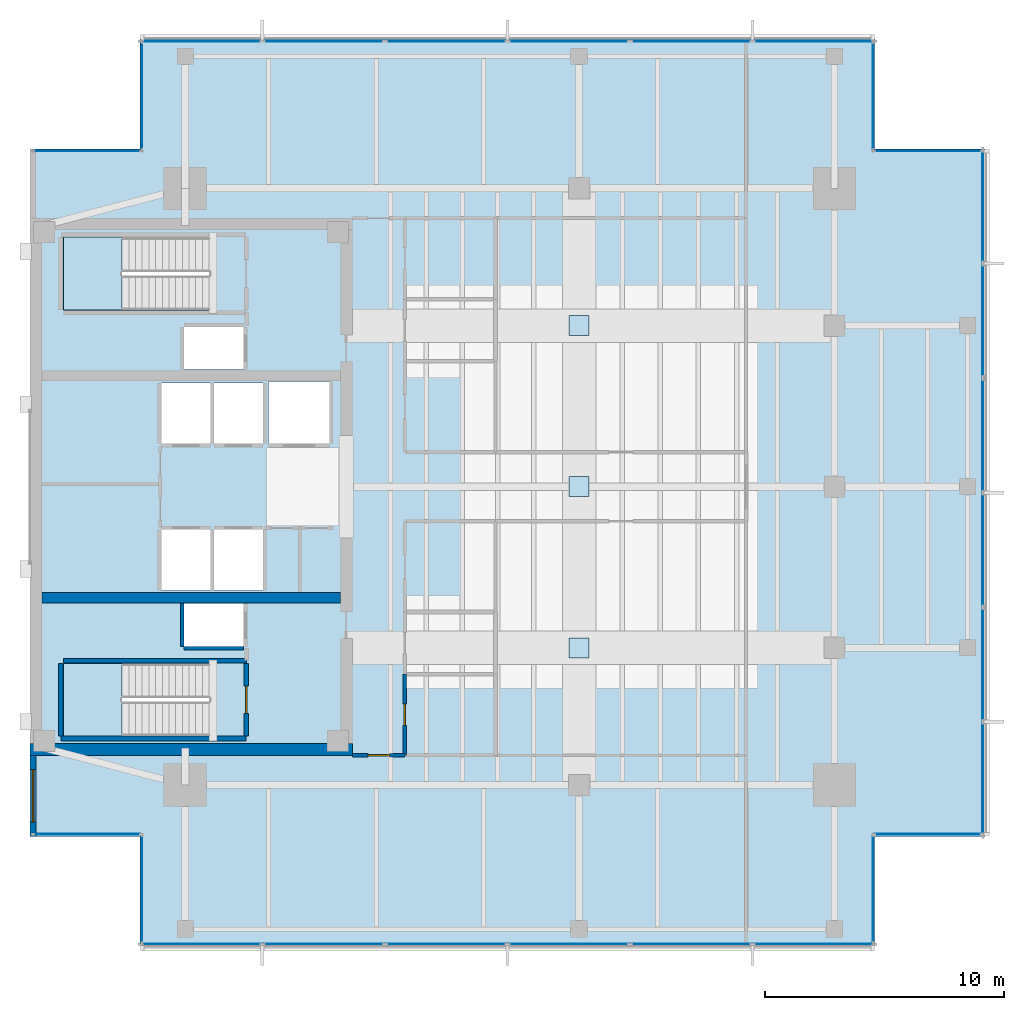
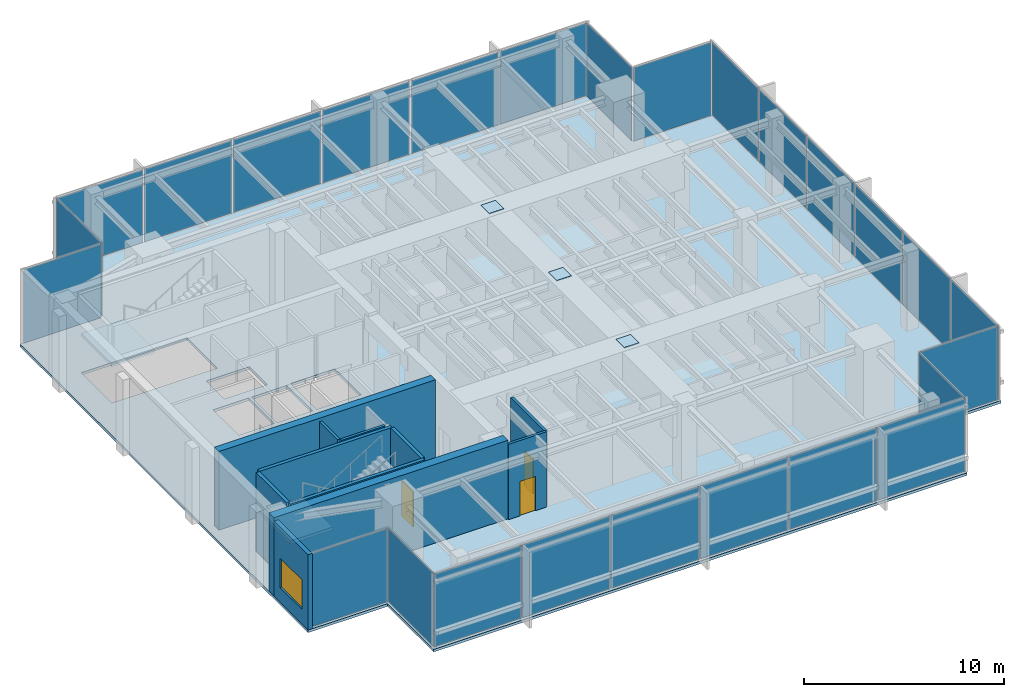
# One storey, part 7 of 14: 29 plates, 11 walls, 3 doors, 3 slabs, 1 window, 4 openings, 13 elements without a shape of their own.
"""IFC4 building model written with IfcOpenShell, lengths in metres."""

from ifc_helpers import new_model, si_unit, direction, frame, frame_2d, origin, origin_2d, place, context, subcontext, project, spatial, polyline, rectangle, outline, extrude, material, layer, layer_set, type_object, element, fill, aggregate, save


model = new_model("IFC4")

# Units and contexts
model_context = context("Model", 3, precision=1e-05, world=origin(), true_north=direction((0.0, 1.0)))
body_context = subcontext(model_context, "Body", "Model", "MODEL_VIEW")
ifc_project = project(units=[si_unit("LENGTHUNIT", "METRE"), si_unit("AREAUNIT", "SQUARE_METRE"), si_unit("VOLUMEUNIT", "CUBIC_METRE"), si_unit("PLANEANGLEUNIT", "RADIAN"), si_unit("MASSUNIT", "GRAM", prefix="KILO")], contexts=[model_context])

# Site, building, storey
site_placement = place(None, origin())
site = spatial("IfcSite", under=ifc_project, at=site_placement, CompositionType="ELEMENT")
building_placement = place(site_placement, origin())
building = spatial("IfcBuilding", under=site, at=building_placement, Name="Kinhvarn Gate Tower", CompositionType="ELEMENT")
storey_placement = place(building_placement, frame((0.0, 0.0, 291.85009765625)))
storey = spatial("IfcBuildingStorey", under=building, at=storey_placement, Name="L78", CompositionType="ELEMENT", Elevation=291.85009765625)

# Curtain wall, plates
ifc_material_1 = material(Name="Anodised aluminium AW-6063", Category="aluminium")
ifc_layer_1 = layer(ifc_material_1, 0.219970703125)
ifc_layer_set_1 = layer_set([ifc_layer_1], Name="Anodised aluminium AW-6063")
curtain_wall_type_1 = type_object("IfcCurtainWallType", Name="CW-SYS-5", PredefinedType="NOTDEFINED", material=ifc_layer_set_1)
curtain_wall_1_placement = place(storey_placement, origin())
curtain_wall_1 = element("IfcCurtainWall", 1, at=curtain_wall_1_placement, inside=storey, type_object=curtain_wall_type_1, Name="Curtain Wall CW5 (L78)", PredefinedType="NOTDEFINED")
ifc_material_2 = material(Name="Clear low-e double glazing", Category="glass")
ifc_layer_2 = layer(ifc_material_2, 0.031982421875)
ifc_layer_set_2 = layer_set([ifc_layer_2], Name="Clear low-e double glazing")
plate_type_1 = type_object("IfcPlateType", Name="CW-PNL-VIS", PredefinedType="CURTAIN_PANEL", material=ifc_layer_set_2)
plate_1_placement = place(storey_placement, frame((11.686767578125, 6.090087890625, 0.079833984375), z_axis=(0.0, 0.0, 1.0), x_axis=(1.0, 0.0, 0.0)))
plate_1 = element("IfcPlate", 2, at=plate_1_placement, type_object=plate_type_1, Name="CW5 panel 1.1", PredefinedType="CURTAIN_PANEL", context=body_context, shape_type="SweptSolid", body=[
    extrude(rectangle(XDim=5.013427734375, YDim=0.031982421875, at=origin_2d()), origin(), (0.0, 0.0, 1.0), 4.43994140625),
])
plate_2_placement = place(storey_placement, frame((16.800048828125, 6.090087890625, 0.079833984375), z_axis=(0.0, 0.0, 1.0), x_axis=(1.0, 0.0, 0.0)))
plate_2 = element("IfcPlate", 3, at=plate_2_placement, type_object=plate_type_1, Name="CW5 panel 2.1", PredefinedType="CURTAIN_PANEL", context=body_context, shape_type="SweptSolid", body=[
    extrude(rectangle(XDim=5.05322265625, YDim=0.031982421875, at=origin_2d()), origin(), (0.0, 0.0, 1.0), 4.43994140625),
])
plate_3_placement = place(storey_placement, frame((21.933349609375, 6.090087890625, 0.079833984375), z_axis=(0.0, 0.0, 1.0), x_axis=(1.0, 0.0, 0.0)))
plate_3 = element("IfcPlate", 4, at=plate_3_placement, type_object=plate_type_1, Name="CW5 panel 3.1", PredefinedType="CURTAIN_PANEL", context=body_context, shape_type="SweptSolid", body=[
    extrude(rectangle(XDim=5.05322265625, YDim=0.031982421875, at=origin_2d()), origin(), (0.0, 0.0, 1.0), 4.43994140625),
])
plate_4_placement = place(storey_placement, frame((27.066650390625, 6.090087890625, 0.079833984375), z_axis=(0.0, 0.0, 1.0), x_axis=(1.0, 0.0, 0.0)))
plate_4 = element("IfcPlate", 5, at=plate_4_placement, type_object=plate_type_1, Name="CW5 panel 4.1", PredefinedType="CURTAIN_PANEL", context=body_context, shape_type="SweptSolid", body=[
    extrude(rectangle(XDim=5.05322265625, YDim=0.031982421875, at=origin_2d()), origin(), (0.0, 0.0, 1.0), 4.43994140625),
])
plate_5_placement = place(storey_placement, frame((32.199951171875, 6.090087890625, 0.079833984375), z_axis=(0.0, 0.0, 1.0), x_axis=(1.0, 0.0, 0.0)))
plate_5 = element("IfcPlate", 6, at=plate_5_placement, type_object=plate_type_1, Name="CW5 panel 5.1", PredefinedType="CURTAIN_PANEL", context=body_context, shape_type="SweptSolid", body=[
    extrude(rectangle(XDim=5.05322265625, YDim=0.031982421875, at=origin_2d()), origin(), (0.0, 0.0, 1.0), 4.43994140625),
])
plate_6_placement = place(storey_placement, frame((37.313232421875, 6.090087890625, 0.079833984375), z_axis=(0.0, 0.0, 1.0), x_axis=(1.0, 0.0, 0.0)))
plate_6 = element("IfcPlate", 7, at=plate_6_placement, type_object=plate_type_1, Name="CW5 panel 6.1", PredefinedType="CURTAIN_PANEL", context=body_context, shape_type="SweptSolid", body=[
    extrude(rectangle(XDim=5.013427734375, YDim=0.031982421875, at=origin_2d()), origin(), (0.0, 0.0, 1.0), 4.43994140625),
])
aggregate(curtain_wall_1, [plate_1, plate_2, plate_3, plate_4, plate_5, plate_6])

curtain_wall_2_placement = place(storey_placement, origin())
curtain_wall_2 = element("IfcCurtainWall", 8, at=curtain_wall_2_placement, inside=storey, type_object=curtain_wall_type_1, Name="Curtain Wall CW5 (L78)", PredefinedType="NOTDEFINED")
plate_7_placement = place(storey_placement, frame((37.313232421875, 43.909912109375, 0.079833984375), z_axis=(0.0, 0.0, 1.0), x_axis=(-1.0, 0.0, 0.0)))
plate_7 = element("IfcPlate", 9, at=plate_7_placement, type_object=plate_type_1, Name="CW5 panel 1.1", PredefinedType="CURTAIN_PANEL", context=body_context, shape_type="SweptSolid", body=[
    extrude(rectangle(XDim=5.013427734375, YDim=0.031982421875, at=origin_2d()), origin(), (0.0, 0.0, 1.0), 4.43994140625),
])
plate_8_placement = place(storey_placement, frame((32.199951171875, 43.909912109375, 0.079833984375), z_axis=(0.0, 0.0, 1.0), x_axis=(-1.0, 0.0, 0.0)))
plate_8 = element("IfcPlate", 10, at=plate_8_placement, type_object=plate_type_1, Name="CW5 panel 2.1", PredefinedType="CURTAIN_PANEL", context=body_context, shape_type="SweptSolid", body=[
    extrude(rectangle(XDim=5.05322265625, YDim=0.031982421875, at=origin_2d()), origin(), (0.0, 0.0, 1.0), 4.43994140625),
])
plate_9_placement = place(storey_placement, frame((27.066650390625, 43.909912109375, 0.079833984375), z_axis=(0.0, 0.0, 1.0), x_axis=(-1.0, 0.0, 0.0)))
plate_9 = element("IfcPlate", 11, at=plate_9_placement, type_object=plate_type_1, Name="CW5 panel 3.1", PredefinedType="CURTAIN_PANEL", context=body_context, shape_type="SweptSolid", body=[
    extrude(rectangle(XDim=5.05322265625, YDim=0.031982421875, at=origin_2d()), origin(), (0.0, 0.0, 1.0), 4.43994140625),
])
plate_10_placement = place(storey_placement, frame((21.933349609375, 43.909912109375, 0.079833984375), z_axis=(0.0, 0.0, 1.0), x_axis=(-1.0, 0.0, 0.0)))
plate_10 = element("IfcPlate", 12, at=plate_10_placement, type_object=plate_type_1, Name="CW5 panel 4.1", PredefinedType="CURTAIN_PANEL", context=body_context, shape_type="SweptSolid", body=[
    extrude(rectangle(XDim=5.05322265625, YDim=0.031982421875, at=origin_2d()), origin(), (0.0, 0.0, 1.0), 4.43994140625),
])
plate_11_placement = place(storey_placement, frame((16.800048828125, 43.909912109375, 0.079833984375), z_axis=(0.0, 0.0, 1.0), x_axis=(-1.0, 0.0, 0.0)))
plate_11 = element("IfcPlate", 13, at=plate_11_placement, type_object=plate_type_1, Name="CW5 panel 5.1", PredefinedType="CURTAIN_PANEL", context=body_context, shape_type="SweptSolid", body=[
    extrude(rectangle(XDim=5.05322265625, YDim=0.031982421875, at=origin_2d()), origin(), (0.0, 0.0, 1.0), 4.43994140625),
])
plate_12_placement = place(storey_placement, frame((11.686767578125, 43.909912109375, 0.079833984375), z_axis=(0.0, 0.0, 1.0), x_axis=(-1.0, 0.0, 0.0)))
plate_12 = element("IfcPlate", 14, at=plate_12_placement, type_object=plate_type_1, Name="CW5 panel 6.1", PredefinedType="CURTAIN_PANEL", context=body_context, shape_type="SweptSolid", body=[
    extrude(rectangle(XDim=5.013427734375, YDim=0.031982421875, at=origin_2d()), origin(), (0.0, 0.0, 1.0), 4.43994140625),
])
aggregate(curtain_wall_2, [plate_7, plate_8, plate_9, plate_10, plate_11, plate_12])

curtain_wall_3_placement = place(storey_placement, origin())
curtain_wall_3 = element("IfcCurtainWall", 15, at=curtain_wall_3_placement, inside=storey, type_object=curtain_wall_type_1, Name="Curtain Wall CW5 (L78)", PredefinedType="NOTDEFINED")
plate_13_placement = place(storey_placement, frame((44.409912109375, 13.02001953125, 0.079833984375), z_axis=(0.0, 0.0, 1.0), x_axis=(0.0, 1.0, 0.0)))
plate_13 = element("IfcPlate", 16, at=plate_13_placement, type_object=plate_type_1, Name="CW5 panel 1.1", PredefinedType="CURTAIN_PANEL", context=body_context, shape_type="SweptSolid", body=[
    extrude(rectangle(XDim=4.679931640625, YDim=0.031982421875, at=origin_2d()), origin(), (0.0, 0.0, 1.0), 4.43994140625),
])
plate_14_placement = place(storey_placement, frame((44.409912109375, 17.800048828125, 0.079833984375), z_axis=(0.0, 0.0, 1.0), x_axis=(0.0, 1.0, 0.0)))
plate_14 = element("IfcPlate", 17, at=plate_14_placement, type_object=plate_type_1, Name="CW5 panel 2.1", PredefinedType="CURTAIN_PANEL", context=body_context, shape_type="SweptSolid", body=[
    extrude(rectangle(XDim=4.719970703125, YDim=0.031982421875, at=origin_2d()), origin(), (0.0, 0.0, 1.0), 4.43994140625),
])
plate_15_placement = place(storey_placement, frame((44.409912109375, 22.60009765625, 0.079833984375), z_axis=(0.0, 0.0, 1.0), x_axis=(0.0, 1.0, 0.0)))
plate_15 = element("IfcPlate", 18, at=plate_15_placement, type_object=plate_type_1, Name="CW5 panel 3.1", PredefinedType="CURTAIN_PANEL", context=body_context, shape_type="SweptSolid", body=[
    extrude(rectangle(XDim=4.719970703125, YDim=0.031982421875, at=origin_2d()), origin(), (0.0, 0.0, 1.0), 4.43994140625),
])
plate_16_placement = place(storey_placement, frame((44.409912109375, 27.39990234375, 0.079833984375), z_axis=(0.0, 0.0, 1.0), x_axis=(0.0, 1.0, 0.0)))
plate_16 = element("IfcPlate", 19, at=plate_16_placement, type_object=plate_type_1, Name="CW5 panel 4.1", PredefinedType="CURTAIN_PANEL", context=body_context, shape_type="SweptSolid", body=[
    extrude(rectangle(XDim=4.719970703125, YDim=0.031982421875, at=origin_2d()), origin(), (0.0, 0.0, 1.0), 4.43994140625),
])
plate_17_placement = place(storey_placement, frame((44.409912109375, 32.199951171875, 0.079833984375), z_axis=(0.0, 0.0, 1.0), x_axis=(0.0, 1.0, 0.0)))
plate_17 = element("IfcPlate", 20, at=plate_17_placement, type_object=plate_type_1, Name="CW5 panel 5.1", PredefinedType="CURTAIN_PANEL", context=body_context, shape_type="SweptSolid", body=[
    extrude(rectangle(XDim=4.719970703125, YDim=0.031982421875, at=origin_2d()), origin(), (0.0, 0.0, 1.0), 4.43994140625),
])
plate_18_placement = place(storey_placement, frame((44.409912109375, 36.97998046875, 0.079833984375), z_axis=(0.0, 0.0, 1.0), x_axis=(0.0, 1.0, 0.0)))
plate_18 = element("IfcPlate", 21, at=plate_18_placement, type_object=plate_type_1, Name="CW5 panel 6.1", PredefinedType="CURTAIN_PANEL", context=body_context, shape_type="SweptSolid", body=[
    extrude(rectangle(XDim=4.679931640625, YDim=0.031982421875, at=origin_2d()), origin(), (0.0, 0.0, 1.0), 4.43994140625),
])
aggregate(curtain_wall_3, [plate_13, plate_14, plate_15, plate_16, plate_17, plate_18])

# Curtain wall, plate
ifc_layer_3 = layer(ifc_material_1, 0.179931640625)
ifc_layer_set_3 = layer_set([ifc_layer_3], Name="Anodised aluminium AW-6063")
curtain_wall_type_2 = type_object("IfcCurtainWallType", Name="CW-SYS-4", PredefinedType="NOTDEFINED", material=ifc_layer_set_3)
curtain_wall_4_placement = place(storey_placement, origin())
curtain_wall_4 = element("IfcCurtainWall", 22, at=curtain_wall_4_placement, inside=storey, type_object=curtain_wall_type_2, Name="Curtain Wall CW4 (L78)", PredefinedType="NOTDEFINED")
plate_19_placement = place(storey_placement, frame((6.889892578125, 10.68994140625, 0.06494140625), z_axis=(0.0, 0.0, 1.0), x_axis=(1.0, 0.0, 0.0)))
plate_19 = element("IfcPlate", 23, at=plate_19_placement, type_object=plate_type_1, Name="CW4 panel 1.1", PredefinedType="CURTAIN_PANEL", context=body_context, shape_type="SweptSolid", body=[
    extrude(rectangle(XDim=4.469970703125, YDim=0.031982421875, at=origin_2d()), origin(), (0.0, 0.0, 1.0), 4.469970703125),
])
aggregate(curtain_wall_4, [plate_19])

curtain_wall_5_placement = place(storey_placement, origin())
curtain_wall_5 = element("IfcCurtainWall", 24, at=curtain_wall_5_placement, inside=storey, type_object=curtain_wall_type_2, Name="Curtain Wall CW4 (L78)", PredefinedType="NOTDEFINED")
plate_20_placement = place(storey_placement, frame((9.18994140625, 8.389892578125, 0.06494140625), z_axis=(0.0, 0.0, 1.0), x_axis=(0.0, -1.0, 0.0)))
plate_20 = element("IfcPlate", 25, at=plate_20_placement, type_object=plate_type_1, Name="CW4 panel 1.1", PredefinedType="CURTAIN_PANEL", context=body_context, shape_type="SweptSolid", body=[
    extrude(rectangle(XDim=4.469970703125, YDim=0.031982421875, at=origin_2d()), origin(), (0.0, 0.0, 1.0), 4.469970703125),
])
aggregate(curtain_wall_5, [plate_20])

curtain_wall_6_placement = place(storey_placement, origin())
curtain_wall_6 = element("IfcCurtainWall", 26, at=curtain_wall_6_placement, inside=storey, type_object=curtain_wall_type_2, Name="Curtain Wall CW4 (L78)", PredefinedType="NOTDEFINED")
plate_21_placement = place(storey_placement, frame((39.81005859375, 8.389892578125, 0.06494140625), z_axis=(0.0, 0.0, 1.0), x_axis=(0.0, 1.0, 0.0)))
plate_21 = element("IfcPlate", 27, at=plate_21_placement, type_object=plate_type_1, Name="CW4 panel 1.1", PredefinedType="CURTAIN_PANEL", context=body_context, shape_type="SweptSolid", body=[
    extrude(rectangle(XDim=4.469970703125, YDim=0.031982421875, at=origin_2d()), origin(), (0.0, 0.0, 1.0), 4.469970703125),
])
aggregate(curtain_wall_6, [plate_21])

curtain_wall_7_placement = place(storey_placement, origin())
curtain_wall_7 = element("IfcCurtainWall", 28, at=curtain_wall_7_placement, inside=storey, type_object=curtain_wall_type_2, Name="Curtain Wall CW4 (L78)", PredefinedType="NOTDEFINED")
plate_22_placement = place(storey_placement, frame((42.110107421875, 10.68994140625, 0.06494140625), z_axis=(0.0, 0.0, 1.0), x_axis=(1.0, 0.0, 0.0)))
plate_22 = element("IfcPlate", 29, at=plate_22_placement, type_object=plate_type_1, Name="CW4 panel 1.1", PredefinedType="CURTAIN_PANEL", context=body_context, shape_type="SweptSolid", body=[
    extrude(rectangle(XDim=4.469970703125, YDim=0.031982421875, at=origin_2d()), origin(), (0.0, 0.0, 1.0), 4.469970703125),
])
aggregate(curtain_wall_7, [plate_22])

curtain_wall_8_placement = place(storey_placement, origin())
curtain_wall_8 = element("IfcCurtainWall", 30, at=curtain_wall_8_placement, inside=storey, type_object=curtain_wall_type_2, Name="Curtain Wall CW4 (L78)", PredefinedType="NOTDEFINED")
plate_23_placement = place(storey_placement, frame((42.110107421875, 39.31005859375, 0.06494140625), z_axis=(0.0, 0.0, 1.0), x_axis=(-1.0, 0.0, 0.0)))
plate_23 = element("IfcPlate", 31, at=plate_23_placement, type_object=plate_type_1, Name="CW4 panel 1.1", PredefinedType="CURTAIN_PANEL", context=body_context, shape_type="SweptSolid", body=[
    extrude(rectangle(XDim=4.469970703125, YDim=0.031982421875, at=origin_2d()), origin(), (0.0, 0.0, 1.0), 4.469970703125),
])
aggregate(curtain_wall_8, [plate_23])

curtain_wall_9_placement = place(storey_placement, origin())
curtain_wall_9 = element("IfcCurtainWall", 32, at=curtain_wall_9_placement, inside=storey, type_object=curtain_wall_type_2, Name="Curtain Wall CW4 (L78)", PredefinedType="NOTDEFINED")
plate_24_placement = place(storey_placement, frame((39.81005859375, 41.610107421875, 0.06494140625), z_axis=(0.0, 0.0, 1.0), x_axis=(0.0, 1.0, 0.0)))
plate_24 = element("IfcPlate", 33, at=plate_24_placement, type_object=plate_type_1, Name="CW4 panel 1.1", PredefinedType="CURTAIN_PANEL", context=body_context, shape_type="SweptSolid", body=[
    extrude(rectangle(XDim=4.469970703125, YDim=0.031982421875, at=origin_2d()), origin(), (0.0, 0.0, 1.0), 4.469970703125),
])
aggregate(curtain_wall_9, [plate_24])

curtain_wall_10_placement = place(storey_placement, origin())
curtain_wall_10 = element("IfcCurtainWall", 34, at=curtain_wall_10_placement, inside=storey, type_object=curtain_wall_type_2, Name="Curtain Wall CW4 (L78)", PredefinedType="NOTDEFINED")
plate_25_placement = place(storey_placement, frame((9.18994140625, 41.610107421875, 0.06494140625), z_axis=(0.0, 0.0, 1.0), x_axis=(0.0, -1.0, 0.0)))
plate_25 = element("IfcPlate", 35, at=plate_25_placement, type_object=plate_type_1, Name="CW4 panel 1.1", PredefinedType="CURTAIN_PANEL", context=body_context, shape_type="SweptSolid", body=[
    extrude(rectangle(XDim=4.469970703125, YDim=0.031982421875, at=origin_2d()), origin(), (0.0, 0.0, 1.0), 4.469970703125),
])
aggregate(curtain_wall_10, [plate_25])

curtain_wall_11_placement = place(storey_placement, origin())
curtain_wall_11 = element("IfcCurtainWall", 36, at=curtain_wall_11_placement, inside=storey, type_object=curtain_wall_type_2, Name="Curtain Wall CW4 (L78)", PredefinedType="NOTDEFINED")
plate_26_placement = place(storey_placement, frame((6.889892578125, 39.31005859375, 0.06494140625), z_axis=(0.0, 0.0, 1.0), x_axis=(-1.0, 0.0, 0.0)))
plate_26 = element("IfcPlate", 37, at=plate_26_placement, type_object=plate_type_1, Name="CW4 panel 1.1", PredefinedType="CURTAIN_PANEL", context=body_context, shape_type="SweptSolid", body=[
    extrude(rectangle(XDim=4.469970703125, YDim=0.031982421875, at=origin_2d()), origin(), (0.0, 0.0, 1.0), 4.469970703125),
])
aggregate(curtain_wall_11, [plate_26])

# Plates
ifc_material_3 = material(Name="Steel S355", Category="steel")
ifc_layer_4 = layer(ifc_material_3, 0.033935546875)
ifc_layer_set_4 = layer_set([ifc_layer_4], Name="Steel S355")
plate_type_2 = type_object("IfcPlateType", Name="PLT-NODE-DN1", PredefinedType="USERDEFINED", material=ifc_layer_set_4)
plate_27_placement = place(storey_placement, frame((0.0, 0.0, 4.77294921875)))
element("IfcPlate", 38, at=plate_27_placement, inside=storey, type_object=plate_type_2, Name="Structural Node Cap Plate DN1", ObjectType="GUSSET_PLATE", PredefinedType="USERDEFINED", context=body_context, shape_type="SweptSolid", body=[
    extrude(outline(polyline([(27.080078125, 18.080078125), (27.919921875, 18.080078125), (27.919921875, 18.919921875), (27.080078125, 18.919921875), (27.080078125, 18.080078125)])), origin(), (0.0, 0.0, 1.0), 0.033935546875),
])
plate_28_placement = place(storey_placement, frame((0.0, 0.0, 4.77294921875)))
element("IfcPlate", 39, at=plate_28_placement, inside=storey, type_object=plate_type_2, Name="Structural Node Cap Plate DN1", ObjectType="GUSSET_PLATE", PredefinedType="USERDEFINED", context=body_context, shape_type="SweptSolid", body=[
    extrude(outline(polyline([(27.080078125, 24.830078125), (27.919921875, 24.830078125), (27.919921875, 25.669921875), (27.080078125, 25.669921875), (27.080078125, 24.830078125)])), origin(), (0.0, 0.0, 1.0), 0.033935546875),
])
plate_29_placement = place(storey_placement, frame((0.0, 0.0, 4.77294921875)))
element("IfcPlate", 40, at=plate_29_placement, inside=storey, type_object=plate_type_2, Name="Structural Node Cap Plate DN1", ObjectType="GUSSET_PLATE", PredefinedType="USERDEFINED", context=body_context, shape_type="SweptSolid", body=[
    extrude(outline(polyline([(27.080078125, 31.580078125), (27.919921875, 31.580078125), (27.919921875, 32.419921875), (27.080078125, 32.419921875), (27.080078125, 31.580078125)])), origin(), (0.0, 0.0, 1.0), 0.033935546875),
])

# Slab
ifc_material_4 = material(Name="Concrete C40/50", Category="concrete")
ifc_layer_5 = layer(ifc_material_4, 0.159912109375)
ifc_layer_set_5 = layer_set([ifc_layer_5], Name="Concrete C40/50")
slab_type_1 = type_object("IfcSlabType", Name="SLB-FLR-160", PredefinedType="FLOOR", material=ifc_layer_set_5)
slab_1_placement = place(storey_placement, frame((0.0, 0.0, -0.16015625)))
element("IfcSlab", 41, at=slab_1_placement, inside=storey, type_object=slab_type_1, Name="Suspended Floor Slab L78", PredefinedType="FLOOR", context=body_context, shape_type="SweptSolid", body=[
    extrude(outline(polyline([(9.10009765625, 6.0), (39.89990234375, 6.0), (39.89990234375, 10.60009765625), (44.5, 10.60009765625), (44.5, 39.39990234375), (39.89990234375, 39.39990234375), (39.89990234375, 44.0), (9.10009765625, 44.0), (9.10009765625, 39.39990234375), (4.5, 39.39990234375), (4.5, 10.60009765625), (9.10009765625, 10.60009765625), (9.10009765625, 6.0)]), holes=[polyline([(5.89990234375, 14.800048828125), (12.0, 14.800048828125), (12.0, 17.85009765625), (5.89990234375, 17.85009765625), (5.89990234375, 14.800048828125)]), polyline([(5.89990234375, 32.64990234375), (12.0, 32.64990234375), (12.0, 35.699951171875), (5.89990234375, 35.699951171875), (5.89990234375, 32.64990234375)]), polyline([(10.0, 20.89990234375), (12.050048828125, 20.89990234375), (12.050048828125, 23.449951171875), (10.0, 23.449951171875), (10.0, 20.89990234375)]), polyline([(12.199951171875, 20.89990234375), (14.25, 20.89990234375), (14.25, 23.449951171875), (12.199951171875, 23.449951171875), (12.199951171875, 20.89990234375)]), polyline([(10.0, 27.050048828125), (12.050048828125, 27.050048828125), (12.050048828125, 29.60009765625), (10.0, 29.60009765625), (10.0, 27.050048828125)]), polyline([(12.199951171875, 27.050048828125), (14.25, 27.050048828125), (14.25, 29.60009765625), (12.199951171875, 29.60009765625), (12.199951171875, 27.050048828125)]), polyline([(14.5, 27.050048828125), (17.050048828125, 27.050048828125), (17.050048828125, 29.64990234375), (14.5, 29.64990234375), (14.5, 27.050048828125)]), polyline([(10.949951171875, 18.550048828125), (13.449951171875, 18.550048828125), (13.449951171875, 20.35009765625), (10.949951171875, 20.35009765625), (10.949951171875, 18.550048828125)]), polyline([(10.949951171875, 30.14990234375), (13.449951171875, 30.14990234375), (13.449951171875, 31.949951171875), (10.949951171875, 31.949951171875), (10.949951171875, 30.14990234375)])]), origin(), (0.0, 0.0, 1.0), 0.16015625),
])

# Stair, slab
stair_type = type_object("IfcStairType", Name="STR-DLG-171", PredefinedType="HALF_TURN_STAIR", material=ifc_material_4)
stair_1_placement = place(storey_placement, origin())
stair_1 = element("IfcStair", 42, at=stair_1_placement, inside=storey, type_object=stair_type, Name="L78 Core Smokeproof Exit Stair ST1", PredefinedType="HALF_TURN_STAIR")
ifc_layer_6 = layer(ifc_material_4, 0.199951171875)
ifc_layer_set_6 = layer_set([ifc_layer_6], Name="Concrete C40/50")
slab_type_2 = type_object("IfcSlabType", Name="SLB-ST-LND", PredefinedType="LANDING", material=ifc_layer_set_6)
slab_2_placement = place(storey_placement, frame((0.0, 0.0, 2.199951171875)))
slab_2 = element("IfcSlab", 43, at=slab_2_placement, type_object=slab_type_2, Name="ST1 landing 1", PredefinedType="LANDING", context=body_context, shape_type="SweptSolid", body=[
    extrude(outline(polyline([(8.360107421875, 17.85009765625), (5.89990234375, 17.85009765625), (5.89990234375, 14.800048828125), (8.360107421875, 14.800048828125), (8.360107421875, 17.85009765625)])), origin(), (0.0, 0.0, 1.0), 0.199951171875),
])
aggregate(stair_1, [slab_2])

stair_2_placement = place(storey_placement, origin())
stair_2 = element("IfcStair", 44, at=stair_2_placement, inside=storey, type_object=stair_type, Name="L78 Core Smokeproof Exit Stair ST2", PredefinedType="HALF_TURN_STAIR")
slab_3_placement = place(storey_placement, frame((0.0, 0.0, 2.199951171875)))
slab_3 = element("IfcSlab", 45, at=slab_3_placement, type_object=slab_type_2, Name="ST2 landing 1", PredefinedType="LANDING", context=body_context, shape_type="SweptSolid", body=[
    extrude(outline(polyline([(8.360107421875, 35.699951171875), (5.89990234375, 35.699951171875), (5.89990234375, 32.64990234375), (8.360107421875, 32.64990234375), (8.360107421875, 35.699951171875)])), origin(), (0.0, 0.0, 1.0), 0.199951171875),
])
aggregate(stair_2, [slab_3])

# Walls
ifc_material_5 = material(Name="Concrete C50/60", Category="concrete")
ifc_layer_7 = layer(ifc_material_5, 0.449951171875)
ifc_layer_set_7 = layer_set([ifc_layer_7], Name="Concrete C50/60")
wall_type_1 = type_object("IfcWallType", Name="WL-CORE-450", PredefinedType="SHEAR", material=ifc_layer_set_7)
wall_1_placement = place(storey_placement, frame((5.0, 20.60009765625, 0.0), z_axis=(0.0, 0.0, 1.0), x_axis=(1.0, 0.0, 0.0)))
element("IfcWall", 46, at=wall_1_placement, inside=storey, type_object=wall_type_1, Name="Core South Spine Shear Wall L78 450 mm", PredefinedType="SHEAR", context=body_context, shape_type="SweptSolid", body=[
    extrude(rectangle(XDim=12.5, YDim=0.449951171875, at=frame_2d((6.25, 0.0))), origin(), (0.0, 0.0, 1.0), 4.7998046875),
])
ifc_layer_8 = layer(ifc_material_5, 0.5)
ifc_layer_set_8 = layer_set([ifc_layer_8], Name="Concrete C50/60")
wall_type_2 = type_object("IfcWallType", Name="WL-CORE-500", PredefinedType="SHEAR", material=ifc_layer_set_8)
wall_2_placement = place(storey_placement, frame((4.5, 14.25, 0.0), z_axis=(0.0, 0.0, 1.0), x_axis=(1.0, 0.0, 0.0)))
element("IfcWall", 47, at=wall_2_placement, inside=storey, type_object=wall_type_2, Name="Core South Shear Wall L78 500 mm", PredefinedType="SHEAR", context=body_context, shape_type="SweptSolid", body=[
    extrude(rectangle(XDim=13.5, YDim=0.5, at=frame_2d((6.75, 0.0))), origin(), (0.0, 0.0, 1.0), 4.7998046875),
])

# Wall, opening, window
ifc_material_6 = material(Name="Fired architectural terracotta", Category="masonry")
ifc_layer_9 = layer(ifc_material_6, 0.25)
ifc_layer_set_9 = layer_set([ifc_layer_9], Name="Fired architectural terracotta")
wall_type_3 = type_object("IfcWallType", Name="WL-EXT-250", PredefinedType="SOLIDWALL", material=ifc_layer_set_9)
wall_3_placement = place(storey_placement, frame((4.625, 14.0, 0.0), z_axis=(0.0, 0.0, 1.0), x_axis=(0.0, -1.0, 0.0)))
wall_3 = element("IfcWall", 48, at=wall_3_placement, inside=storey, type_object=wall_type_3, Name="Exterior Solidwall Wall EW-250 (L78 West-South)", PredefinedType="SOLIDWALL", context=body_context, shape_type="SweptSolid", body=[
    extrude(rectangle(XDim=3.39990234375, YDim=0.25, at=frame_2d((1.699951171875, 0.0))), origin(), (0.0, 0.0, 1.0), 4.599853515625),
])
opening_1_placement = place(wall_3_placement, frame((0.60009765625, 0.0, 0.89990234375)))
opening_1 = element("IfcOpeningElement", 49, at=opening_1_placement, cuts=wall_3, Name="Opening WN-01", PredefinedType="OPENING", context=body_context, shape_type="SweptSolid", body=[
    extrude(rectangle(XDim=2.199951171875, YDim=1.800048828125, at=frame_2d((1.10009765625, 0.89990234375))), frame((0.0, 0.135009765625, 0.0), z_axis=(0.0, -1.0, 0.0), x_axis=(1.0, 0.0, 0.0)), (0.0, 0.0, 1.0), 0.27001953125),
])
window_type = type_object("IfcWindowType", Name="WIN-RIB-2200", PartitioningType="SINGLE_PANEL", PredefinedType="WINDOW", material=ifc_material_2)
window_placement = place(opening_1_placement, origin())
window = element("IfcWindow", 50, at=window_placement, inside=storey, type_object=window_type, Name="West Flank Double-Glazed Ribbon Window 2200x1800 mm (L78)", OverallHeight=1.800048828125, OverallWidth=2.199951171875, PartitioningType="SINGLE_PANEL", PredefinedType="WINDOW", context=body_context, shape_type="SweptSolid", body=[
    extrude(rectangle(XDim=2.199951171875, YDim=1.800048828125, at=frame_2d((1.10009765625, 0.89990234375))), frame((0.0, 0.030029296875, 0.0), z_axis=(0.0, -1.0, 0.0), x_axis=(1.0, 0.0, 0.0)), (0.0, 0.0, 1.0), 0.06005859375),
])
fill(opening_1, window)

# Wall, opening, door
ifc_material_7 = material(Name="Gypsum acoustic partition board")
ifc_layer_10 = layer(ifc_material_7, 0.14990234375)
ifc_layer_set_10 = layer_set([ifc_layer_10], Name="Gypsum acoustic partition board")
wall_type_4 = type_object("IfcWallType", Name="WL-PLM-150F", PredefinedType="PLUMBINGWALL", material=ifc_layer_set_10)
wall_4_placement = place(storey_placement, frame((20.199951171875, 14.0, 0.0), z_axis=(0.0, 0.0, 1.0), x_axis=(0.0, 1.0, 0.0)))
wall_4 = element("IfcWall", 51, at=wall_4_placement, inside=storey, type_object=wall_type_4, Name="Interior Partition PLW-150F (L78)", PredefinedType="PLUMBINGWALL", context=body_context, shape_type="SweptSolid", body=[
    extrude(rectangle(XDim=3.39990234375, YDim=0.14990234375, at=frame_2d((1.699951171875, 0.0))), origin(), (0.0, 0.0, 1.0), 4.599853515625),
])
opening_2_placement = place(wall_4_placement, frame((1.25, 0.0, 0.0)))
opening_2 = element("IfcOpeningElement", 52, at=opening_2_placement, cuts=wall_4, Name="Opening FD-04", PredefinedType="OPENING", context=body_context, shape_type="SweptSolid", body=[
    extrude(rectangle(XDim=0.89990234375, YDim=2.10009765625, at=frame_2d((0.449951171875, 1.050048828125))), frame((0.0, 0.0849609375, 0.0), z_axis=(0.0, -1.0, 0.0), x_axis=(1.0, 0.0, 0.0)), (0.0, 0.0, 1.0), 0.169921875),
])
door_type_1 = type_object("IfcDoorType", Name="DR-FD-900", OperationType="NOTDEFINED", PredefinedType="DOOR", material=ifc_material_1)
door_1_placement = place(opening_2_placement, origin())
door_1 = element("IfcDoor", 53, at=door_1_placement, inside=storey, type_object=door_type_1, Name="Rated Riser & Service Closet Fire Door 900x2100 mm (L78)", OperationType="SINGLE_SWING_LEFT", OverallHeight=2.10009765625, OverallWidth=0.89990234375, PredefinedType="DOOR", context=body_context, shape_type="SweptSolid", body=[
    extrude(rectangle(XDim=0.89990234375, YDim=2.10009765625, at=frame_2d((0.449951171875, 1.050048828125))), frame((0.0, 0.02490234375, 0.0), z_axis=(0.0, -1.0, 0.0), x_axis=(1.0, 0.0, 0.0)), (0.0, 0.0, 1.0), 0.050048828125),
])
fill(opening_2, door_1)

ifc_layer_11 = layer(ifc_material_7, 0.14990234375)
ifc_layer_set_11 = layer_set([ifc_layer_11], Name="Gypsum acoustic partition board")
wall_type_5 = type_object("IfcWallType", Name="WL-PRT-150F", PredefinedType="PARTITIONING", material=ifc_layer_set_11)
wall_5_placement = place(storey_placement, frame((18.0, 14.0, 0.0), z_axis=(0.0, 0.0, 1.0), x_axis=(1.0, 0.0, 0.0)))
wall_5 = element("IfcWall", 54, at=wall_5_placement, inside=storey, type_object=wall_type_5, Name="Interior Partition PW-150F (L78)", PredefinedType="PARTITIONING", context=body_context, shape_type="SweptSolid", body=[
    extrude(rectangle(XDim=2.199951171875, YDim=0.14990234375, at=frame_2d((1.10009765625, 0.0))), origin(), (0.0, 0.0, 1.0), 4.599853515625),
])
opening_3_placement = place(wall_5_placement, frame((0.64990234375, 0.0, 0.0)))
opening_3 = element("IfcOpeningElement", 55, at=opening_3_placement, cuts=wall_5, Name="Opening ID-03", PredefinedType="OPENING", context=body_context, shape_type="SweptSolid", body=[
    extrude(rectangle(XDim=0.89990234375, YDim=2.10009765625, at=frame_2d((0.449951171875, 1.050048828125))), frame((0.0, 0.0849609375, 0.0), z_axis=(0.0, -1.0, 0.0), x_axis=(1.0, 0.0, 0.0)), (0.0, 0.0, 1.0), 0.169921875),
])
door_type_2 = type_object("IfcDoorType", Name="DR-INT-900", OperationType="NOTDEFINED", PredefinedType="DOOR", material=ifc_material_1)
door_2_placement = place(opening_3_placement, origin())
door_2 = element("IfcDoor", 56, at=door_2_placement, inside=storey, type_object=door_type_2, Name="Cellular Office & Restroom Door 900x2100 mm (L78)", OperationType="SINGLE_SWING_LEFT", OverallHeight=2.10009765625, OverallWidth=0.89990234375, PredefinedType="DOOR", context=body_context, shape_type="SweptSolid", body=[
    extrude(rectangle(XDim=0.89990234375, YDim=2.10009765625, at=frame_2d((0.449951171875, 1.050048828125))), frame((0.0, 0.02490234375, 0.0), z_axis=(0.0, -1.0, 0.0), x_axis=(1.0, 0.0, 0.0)), (0.0, 0.0, 1.0), 0.050048828125),
])
fill(opening_3, door_2)

# Walls
ifc_layer_12 = layer(ifc_material_7, 0.14990234375)
ifc_layer_set_12 = layer_set([ifc_layer_12], Name="Gypsum acoustic partition board")
wall_type_6 = type_object("IfcWallType", Name="WL-SHF-150", PredefinedType="PARTITIONING", material=ifc_layer_set_12)
wall_6_placement = place(storey_placement, frame((10.949951171875, 18.47509765625, 0.0), z_axis=(0.0, 0.0, 1.0), x_axis=(1.0, 0.0, 0.0)))
element("IfcWall", 57, at=wall_6_placement, inside=storey, type_object=wall_type_6, Name="Elevator FF1 Hoistway Wall S (L78)", PredefinedType="PARTITIONING", context=body_context, shape_type="SweptSolid", body=[
    extrude(rectangle(XDim=2.5, YDim=0.14990234375, at=frame_2d((1.25, 0.0))), origin(), (0.0, 0.0, 1.0), 4.599853515625),
])
wall_7_placement = place(storey_placement, frame((10.875, 18.550048828125, 0.0), z_axis=(0.0, 0.0, 1.0), x_axis=(0.0, 1.0, 0.0)))
element("IfcWall", 58, at=wall_7_placement, inside=storey, type_object=wall_type_6, Name="Elevator FF1 Hoistway Wall W (L78)", PredefinedType="PARTITIONING", context=body_context, shape_type="SweptSolid", body=[
    extrude(rectangle(XDim=1.800048828125, YDim=0.14990234375, at=frame_2d((0.89990234375, 0.0))), origin(), (0.0, 0.0, 1.0), 4.599853515625),
])
ifc_layer_13 = layer(ifc_material_4, 0.199951171875)
ifc_layer_set_13 = layer_set([ifc_layer_13], Name="Concrete C40/50")
wall_type_7 = type_object("IfcWallType", Name="WL-SHF-200", PredefinedType="SOLIDWALL", material=ifc_layer_set_13)
wall_8_placement = place(storey_placement, frame((5.800048828125, 14.699951171875, 0.0), z_axis=(0.0, 0.0, 1.0), x_axis=(1.0, 0.0, 0.0)))
element("IfcWall", 59, at=wall_8_placement, inside=storey, type_object=wall_type_7, Name="Stair ST1 South Shaft Wall (L78)", PredefinedType="SOLIDWALL", context=body_context, shape_type="SweptSolid", body=[
    extrude(rectangle(XDim=7.75, YDim=0.199951171875, at=frame_2d((3.875, 0.0))), origin(), (0.0, 0.0, 1.0), 4.7998046875),
])
wall_9_placement = place(storey_placement, frame((5.7900390625, 14.800048828125, 0.0), z_axis=(0.0, 0.0, 1.0), x_axis=(0.0, 1.0, 0.0)))
element("IfcWall", 60, at=wall_9_placement, inside=storey, type_object=wall_type_7, Name="Stair ST1 West Shaft Wall (L78)", PredefinedType="SOLIDWALL", context=body_context, shape_type="SweptSolid", body=[
    extrude(rectangle(XDim=3.050048828125, YDim=0.199951171875, at=frame_2d((1.52490234375, 0.0))), origin(), (0.0, 0.0, 1.0), 4.7998046875),
])
wall_10_placement = place(storey_placement, frame((5.89990234375, 17.9599609375, 0.0), z_axis=(0.0, 0.0, 1.0), x_axis=(1.0, 0.0, 0.0)))
element("IfcWall", 61, at=wall_10_placement, inside=storey, type_object=wall_type_7, Name="Stair ST1 North Shaft Wall (L78)", PredefinedType="SOLIDWALL", context=body_context, shape_type="SweptSolid", body=[
    extrude(rectangle(XDim=7.66015625, YDim=0.199951171875, at=frame_2d((3.830078125, 0.0))), origin(), (0.0, 0.0, 1.0), 4.7998046875),
])

# Wall, opening, door
wall_11_placement = place(storey_placement, frame((13.56005859375, 14.800048828125, 0.0), z_axis=(0.0, 0.0, 1.0), x_axis=(0.0, 1.0, 0.0)))
wall_11 = element("IfcWall", 62, at=wall_11_placement, inside=storey, type_object=wall_type_7, Name="Stair ST1 East Entry Wall (L78)", PredefinedType="SOLIDWALL", context=body_context, shape_type="SweptSolid", body=[
    extrude(rectangle(XDim=3.050048828125, YDim=0.199951171875, at=frame_2d((1.52490234375, 0.0))), origin(), (0.0, 0.0, 1.0), 4.7998046875),
])
opening_4_placement = place(wall_11_placement, frame((0.949951171875, 0.0, 0.0)))
opening_4 = element("IfcOpeningElement", 63, at=opening_4_placement, cuts=wall_11, Name="Opening FD-01", PredefinedType="OPENING", context=body_context, shape_type="SweptSolid", body=[
    extrude(rectangle(XDim=1.14990234375, YDim=2.14990234375, at=frame_2d((0.574951171875, 1.074951171875))), frame((0.0, 0.10986328125, 0.0), z_axis=(0.0, -1.0, 0.0), x_axis=(1.0, 0.0, 0.0)), (0.0, 0.0, 1.0), 0.219970703125),
])
door_type_3 = type_object("IfcDoorType", Name="DR-ST-1150", OperationType="NOTDEFINED", PredefinedType="DOOR", material=ifc_material_1)
door_3_placement = place(opening_4_placement, origin())
door_3 = element("IfcDoor", 64, at=door_3_placement, inside=storey, type_object=door_type_3, Name="Exit Stair ST1 Fire Door (L78)", OperationType="SINGLE_SWING_RIGHT", OverallHeight=2.14990234375, OverallWidth=1.14990234375, PredefinedType="DOOR", context=body_context, shape_type="SweptSolid", body=[
    extrude(rectangle(XDim=1.14990234375, YDim=2.14990234375, at=frame_2d((0.574951171875, 1.074951171875))), frame((0.0, 0.02490234375, 0.0), z_axis=(0.0, -1.0, 0.0), x_axis=(1.0, 0.0, 0.0)), (0.0, 0.0, 1.0), 0.050048828125),
])
fill(opening_4, door_3)

save(model, "model.ifc")
